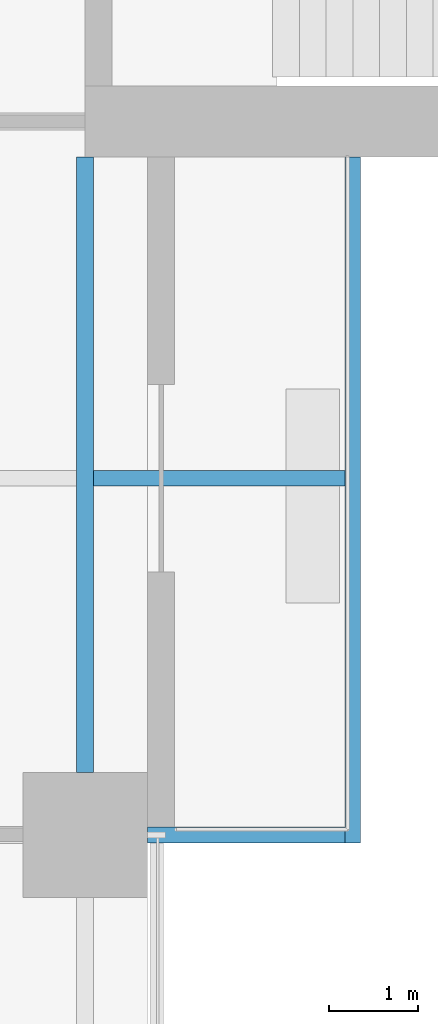
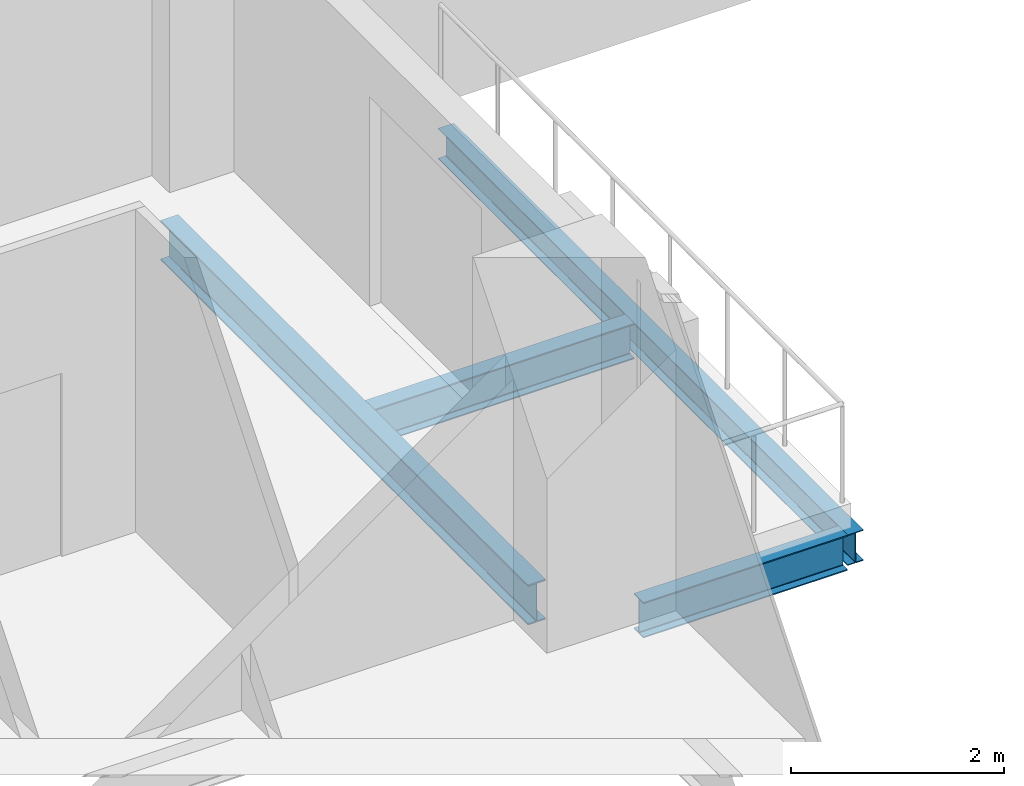
# One storey, part 5 of 27: 4 beams.
"""IFC4 building model written with IfcOpenShell, lengths in metres."""

from ifc_helpers import new_model, si_unit, direction, frame, origin, origin_2d, place, context, subcontext, project, spatial, i_section, extrude, material, material_profile, profile_set, type_object, element, save


model = new_model("IFC4")

# Units and contexts
model_context = context("Model", 3, precision=1e-05, world=origin(), true_north=direction((0.0, 1.0)))
body_context = subcontext(model_context, "Body", "Model", "MODEL_VIEW")
ifc_project = project(units=[si_unit("LENGTHUNIT", "METRE"), si_unit("AREAUNIT", "SQUARE_METRE"), si_unit("VOLUMEUNIT", "CUBIC_METRE"), si_unit("PLANEANGLEUNIT", "RADIAN"), si_unit("MASSUNIT", "GRAM", prefix="KILO")], contexts=[model_context])

# Site, building, storey
site_placement = place(None, origin())
site = spatial("IfcSite", under=ifc_project, at=site_placement, CompositionType="ELEMENT")
building_placement = place(site_placement, origin())
building = spatial("IfcBuilding", under=site, at=building_placement, Name="Crosswind Convention Tower", CompositionType="ELEMENT")
storey_placement = place(building_placement, frame((0.0, 0.0, 83.10009765625)))
storey = spatial("IfcBuildingStorey", under=building, at=storey_placement, Name="L15", CompositionType="ELEMENT", Elevation=83.10009765625)

# Beams
ifc_material = material(Name="Steel S355", Category="steel")
ifc_material_profile_1 = material_profile(ifc_material, i_section(OverallWidth=0.177734375, OverallDepth=0.406494140625, WebThickness=0.0078125, FlangeThickness=0.0126953125, FilletRadius=0.01025390625, at=origin_2d()), Name="UB 406x178x60")
ifc_profile_set_1 = profile_set([ifc_material_profile_1], Name="Steel S355")
beam_type_1 = type_object("IfcBeamType", Name="Balcony cantilever UB 406x178x60", PredefinedType="BEAM", material=ifc_profile_set_1)
beam_1_placement = place(storey_placement, frame((137.09521484375, 84.0, -0.4833984375), z_axis=(1.0, 0.0, 0.0), x_axis=(0.0, 1.0, 0.0)))
element("IfcBeam", 1, at=beam_1_placement, inside=storey, type_object=beam_type_1, Name="B35 L15 balcony cantilever SE 10", PredefinedType="BEAM", context=body_context, shape_type="SweptSolid", body=[
    extrude(i_section(OverallWidth=0.177734375, OverallDepth=0.406494140625, WebThickness=0.0078125, FlangeThickness=0.0126953125, FilletRadius=0.01025390625, at=origin_2d()), origin(), (0.0, 0.0, 1.0), 2.8193359375),
])
beam_2_placement = place(storey_placement, frame((137.699951171875, 80.0, -0.4833984375), z_axis=(1.0, 0.0, 0.0), x_axis=(0.0, 1.0, 0.0)))
element("IfcBeam", 2, at=beam_2_placement, inside=storey, type_object=beam_type_1, Name="B35 L15 balcony cantilever SE 11", PredefinedType="BEAM", context=body_context, shape_type="SweptSolid", body=[
    extrude(i_section(OverallWidth=0.177734375, OverallDepth=0.406494140625, WebThickness=0.0078125, FlangeThickness=0.0126953125, FilletRadius=0.01025390625, at=origin_2d()), origin(), (0.0, 0.0, 1.0), 2.214599609375),
])
ifc_material_profile_2 = material_profile(ifc_material, i_section(OverallWidth=0.1708984375, OverallDepth=0.35205078125, WebThickness=0.0068359375, FlangeThickness=0.009765625, FilletRadius=0.01025390625, at=origin_2d()), Name="UB 356x171x45")
ifc_profile_set_2 = profile_set([ifc_material_profile_2], Name="Steel S355")
beam_type_2 = type_object("IfcBeamType", Name="Balcony edge beam UB 356x171x45", PredefinedType="BEAM", material=ifc_profile_set_2)
beam_3_placement = place(storey_placement, frame((140.0, 87.60009765625, -0.4560546875), z_axis=(0.0, -1.0, 0.0), x_axis=(1.0, 0.0, 0.0)))
element("IfcBeam", 3, at=beam_3_placement, inside=storey, type_object=beam_type_2, Name="B37 L15 balcony edge beam SE 12", PredefinedType="BEAM", context=body_context, shape_type="SweptSolid", body=[
    extrude(i_section(OverallWidth=0.1708984375, OverallDepth=0.35205078125, WebThickness=0.0068359375, FlangeThickness=0.009765625, FilletRadius=0.01025390625, at=origin_2d()), origin(), (0.0, 0.0, 1.0), 7.68896484375),
])
ifc_material_profile_3 = material_profile(ifc_material, i_section(OverallWidth=0.1904296875, OverallDepth=0.457275390625, WebThickness=0.009033203125, FlangeThickness=0.014404296875, FilletRadius=0.01025390625, at=origin_2d()), Name="UB 457x191x75")
ifc_profile_set_3 = profile_set([ifc_material_profile_3], Name="Steel S355")
beam_type_3 = type_object("IfcBeamType", Name="Edge beam UB 457x191x75", PredefinedType="SPANDREL", material=ifc_profile_set_3)
beam_4_placement = place(storey_placement, frame((137.0, 80.699951171875, -0.5087890625), z_axis=(0.0, 1.0, 0.0), x_axis=(-1.0, 0.0, 0.0)))
element("IfcBeam", 4, at=beam_4_placement, inside=storey, type_object=beam_type_3, Name="B17 L15 edge beam 20", PredefinedType="SPANDREL", context=body_context, shape_type="SweptSolid", body=[
    extrude(i_section(OverallWidth=0.1904296875, OverallDepth=0.457275390625, WebThickness=0.009033203125, FlangeThickness=0.014404296875, FilletRadius=0.01025390625, at=origin_2d()), origin(), (0.0, 0.0, 1.0), 6.900146484375),
])

save(model, "model.ifc")
